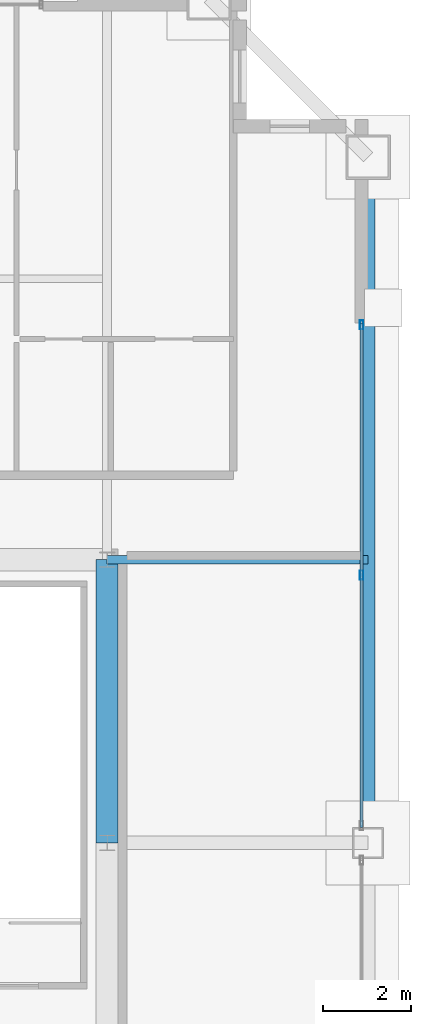
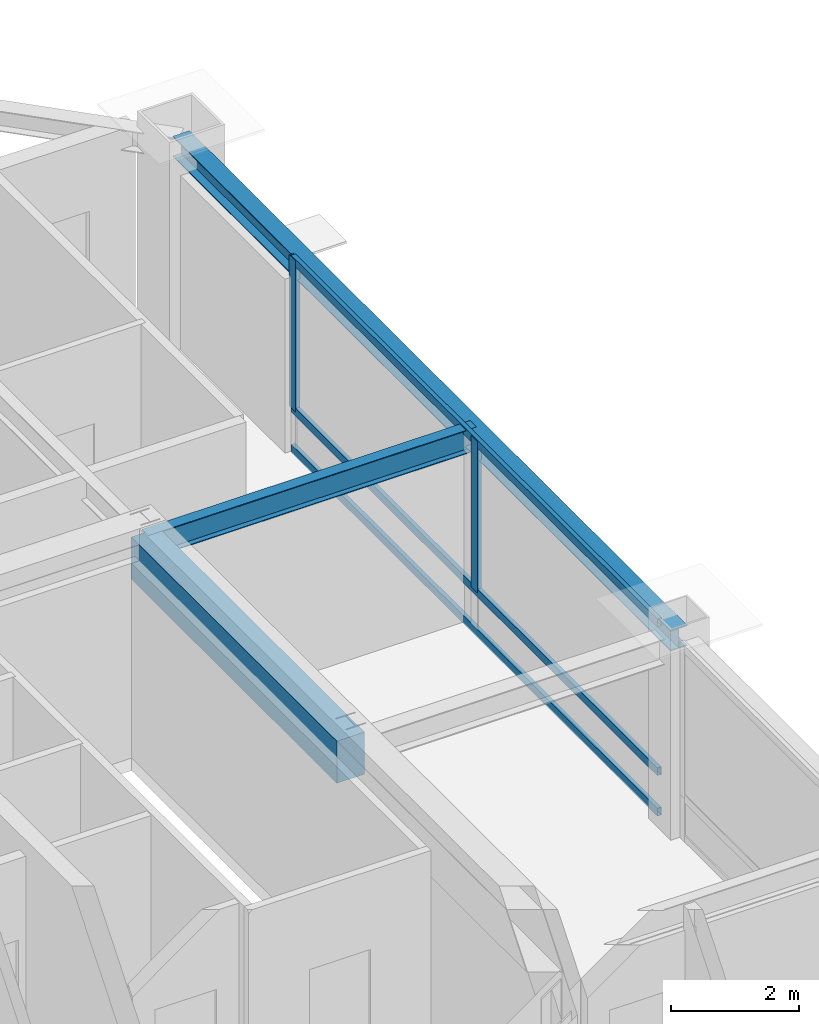
# One storey, part 15 of 34: 5 members, 3 beams, 1 element without a shape of its own.
"""IFC4 building model written with IfcOpenShell, lengths in metres."""

from ifc_helpers import new_model, si_unit, direction, frame, origin, origin_2d, place, context, subcontext, project, spatial, rectangle, hollow_rectangle, i_section, extrude, source, transform, mapped, material, layer, layer_set, material_profile, profile_set, type_object, element, aggregate, save


model = new_model("IFC4")

# Units and contexts
model_context = context("Model", 3, precision=1e-05, world=origin(), true_north=direction((0.0, 1.0)))
body_context = subcontext(model_context, "Body", "Model", "MODEL_VIEW")
ifc_project = project(units=[si_unit("LENGTHUNIT", "METRE"), si_unit("AREAUNIT", "SQUARE_METRE"), si_unit("VOLUMEUNIT", "CUBIC_METRE"), si_unit("PLANEANGLEUNIT", "RADIAN"), si_unit("MASSUNIT", "GRAM", prefix="KILO"), si_unit("THERMODYNAMICTEMPERATUREUNIT", "KELVIN"), si_unit("POWERUNIT", "WATT")], contexts=[model_context])

# Site, building, storey
site_placement = place(None, origin())
site = spatial("IfcSite", under=ifc_project, at=site_placement, CompositionType="ELEMENT")
building_placement = place(site_placement, origin())
building = spatial("IfcBuilding", under=site, at=building_placement, Name="Yuzanri Waterfront Tower", CompositionType="ELEMENT")
storey_placement = place(building_placement, frame((0.0, 0.0, 347.199951171875)))
storey = spatial("IfcBuildingStorey", under=building, at=storey_placement, Name="L93", CompositionType="ELEMENT", Elevation=347.199951171875)

# Beams
ifc_material_1 = material(Name="Concrete C50", Category="concrete")
ifc_material_profile_1 = material_profile(ifc_material_1, rectangle(XDim=0.5, YDim=0.800048828125, at=origin_2d()), Name="RC 500x800")
ifc_profile_set_1 = profile_set([ifc_material_profile_1], Name="Concrete C50")
beam_type_1 = type_object("IfcBeamType", Name="Core Coupling Lintel Concrete C50 500x800", PredefinedType="LINTEL", material=ifc_profile_set_1)
shared_shape_1 = source(origin(), body_context, "Body", "SweptSolid", [
    extrude(rectangle(XDim=0.5, YDim=0.800048828125, at=origin_2d()), origin(), (0.0, 0.0, 1.0), 6.39990234375),
])
beam_1_placement = place(storey_placement, frame((50.199951171875, 25.800048828125, 3.300048828125), z_axis=(0.0, 1.0, 0.0), x_axis=(-1.0, 0.0, 0.0)))
element("IfcBeam", 1, at=beam_1_placement, inside=storey, type_object=beam_type_1, Name="L93 Core Tie Beam CE2", PredefinedType="LINTEL", context=body_context, shape_type="MappedRepresentation", body=[
    mapped(shared_shape_1, transform((0.0, 0.0, 0.0), scale=1.0)),
])
ifc_material_2 = material(Name="Steel Q355B", Category="steel")
ifc_material_profile_2 = material_profile(ifc_material_2, i_section(OverallWidth=0.300048828125, OverallDepth=0.389892578125, WebThickness=0.010009765625, FlangeThickness=0.01611328125, at=origin_2d()), Name="HM 390x300x10x16")
ifc_profile_set_2 = profile_set([ifc_material_profile_2], Name="Steel Q355B")
beam_type_2 = type_object("IfcBeamType", Name="Perimeter Spandrel Q355B HM 390x300", PredefinedType="SPANDREL", material=ifc_profile_set_2)
shared_shape_2 = source(origin(), body_context, "Body", "SweptSolid", [
    extrude(i_section(OverallWidth=0.300048828125, OverallDepth=0.389892578125, WebThickness=0.010009765625, FlangeThickness=0.01611328125, at=origin_2d()), origin(), (0.0, 0.0, 1.0), 15.5),
])
beam_2_placement = place(storey_placement, frame((56.10009765625, 25.800048828125, 3.505126953125), z_axis=(0.0, 1.0, 0.0), x_axis=(-1.0, 0.0, 0.0)))
element("IfcBeam", 2, at=beam_2_placement, inside=storey, type_object=beam_type_2, Name="L93 Perimeter Spandrel E2-E3", PredefinedType="SPANDREL", context=body_context, shape_type="MappedRepresentation", body=[
    mapped(shared_shape_2, transform((0.0, 0.0, 0.0), scale=1.0)),
])
ifc_material_3 = material(Name="Steel Q355B", Category="steel")
ifc_material_profile_3 = material_profile(ifc_material_3, i_section(OverallWidth=0.199951171875, OverallDepth=0.449951171875, WebThickness=0.009033203125, FlangeThickness=0.013916015625, at=origin_2d()), Name="HN 450x200x9x14")
ifc_profile_set_3 = profile_set([ifc_material_profile_3], Name="Steel Q355B")
beam_type_3 = type_object("IfcBeamType", Name="Secondary Floor Beam Q355B HN 450x200", PredefinedType="BEAM", material=ifc_profile_set_3)
shared_shape_3 = source(origin(), body_context, "Body", "SweptSolid", [
    extrude(i_section(OverallWidth=0.199951171875, OverallDepth=0.449951171875, WebThickness=0.009033203125, FlangeThickness=0.013916015625, at=origin_2d()), origin(), (0.0, 0.0, 1.0), 5.900146484375),
])
beam_3_placement = place(storey_placement, frame((50.199951171875, 32.199951171875, 3.47509765625), z_axis=(1.0, 0.0, 0.0), x_axis=(0.0, 1.0, 0.0)))
element("IfcBeam", 3, at=beam_3_placement, inside=storey, type_object=beam_type_3, Name="L93 East-North Core Line Beam", PredefinedType="BEAM", context=body_context, shape_type="MappedRepresentation", body=[
    mapped(shared_shape_3, transform((0.0, 0.0, 0.0), scale=1.0)),
])

# Curtain wall, members
ifc_material_4 = material(Name="Anodized Architectural Bronze", Category="metal")
ifc_layer = layer(ifc_material_4, 0.159912109375)
ifc_layer_set = layer_set([ifc_layer], Name="Anodized Architectural Bronze")
curtain_wall_type = type_object("IfcCurtainWallType", Name="Anodized Bronze High-Rise Penthouse High-Wind Unitized Curtain Wall 6900", PredefinedType="NOTDEFINED", material=ifc_layer_set)
curtain_wall_placement = place(storey_placement, origin())
curtain_wall = element("IfcCurtainWall", 4, at=curtain_wall_placement, inside=storey, type_object=curtain_wall_type, Name="L93 Curtain Wall CW-L93-ER", PredefinedType="NOTDEFINED")
ifc_material_5 = material(Name="Anodized Architectural Bronze", Category="metal")
ifc_material_profile_4 = material_profile(ifc_material_5, hollow_rectangle(XDim=0.074951171875, YDim=0.14990234375, WallThickness=0.00390625, at=origin_2d()), Name="CWT 75x150")
ifc_profile_set_4 = profile_set([ifc_material_profile_4], Name="Anodized Architectural Bronze")
member_type_1 = type_object("IfcMemberType", Name="Anodized Bronze Primary Curtain-Wall Transom 75x150", PredefinedType="USERDEFINED", material=ifc_profile_set_4)
shared_shape_4 = source(origin(), body_context, "Body", "SweptSolid", [
    extrude(hollow_rectangle(XDim=0.074951171875, YDim=0.14990234375, WallThickness=0.00390625, at=origin_2d()), origin(), (0.0, 0.0, 1.0), 11.400146484375),
])
member_1_placement = place(storey_placement, frame((55.949951171875, 26.14990234375, 0.050048828125), z_axis=(0.0, 1.0, 0.0), x_axis=(-1.0, 0.0, 0.0)))
member_1 = element("IfcMember", 5, at=member_1_placement, type_object=member_type_1, Name="CW-L93-ER Transom 1", ObjectType="TRANSOM", PredefinedType="USERDEFINED", context=body_context, shape_type="MappedRepresentation", body=[
    mapped(shared_shape_4, transform((0.0, 0.0, 0.0), scale=1.0)),
])
member_2_placement = place(storey_placement, frame((55.949951171875, 26.14990234375, 0.820068359375), z_axis=(0.0, 1.0, 0.0), x_axis=(-1.0, 0.0, 0.0)))
member_2 = element("IfcMember", 6, at=member_2_placement, type_object=member_type_1, Name="CW-L93-ER Transom 2", ObjectType="TRANSOM", PredefinedType="USERDEFINED", context=body_context, shape_type="MappedRepresentation", body=[
    mapped(shared_shape_4, transform((0.0, 0.0, 0.0), scale=1.0)),
])
member_3_placement = place(storey_placement, frame((55.949951171875, 26.14990234375, 3.650146484375), z_axis=(0.0, 1.0, 0.0), x_axis=(-1.0, 0.0, 0.0)))
member_3 = element("IfcMember", 7, at=member_3_placement, type_object=member_type_1, Name="CW-L93-ER Transom 3", ObjectType="TRANSOM", PredefinedType="USERDEFINED", context=body_context, shape_type="MappedRepresentation", body=[
    mapped(shared_shape_4, transform((0.0, 0.0, 0.0), scale=1.0)),
])
ifc_material_6 = material(Name="Anodized Architectural Bronze", Category="metal")
ifc_material_profile_5 = material_profile(ifc_material_6, hollow_rectangle(XDim=0.074951171875, YDim=0.199951171875, WallThickness=0.00390625, at=origin_2d()), Name="CWM 75x200")
ifc_profile_set_5 = profile_set([ifc_material_profile_5], Name="Anodized Architectural Bronze")
member_type_2 = type_object("IfcMemberType", Name="Anodized Bronze Primary Curtain-Wall Mullion 75x200", PredefinedType="MULLION", material=ifc_profile_set_5)
shared_shape_5 = source(origin(), body_context, "Body", "SweptSolid", [
    extrude(hollow_rectangle(XDim=0.074951171875, YDim=0.199951171875, WallThickness=0.00390625, at=origin_2d()), origin(), (0.0, 0.0, 1.0), 2.8779296875),
])
member_4_placement = place(storey_placement, frame((55.949951171875, 31.85009765625, 0.822021484375), z_axis=(0.0, 0.0, 1.0), x_axis=(1.0, 0.0, 0.0)))
member_4 = element("IfcMember", 8, at=member_4_placement, type_object=member_type_2, Name="CW-L93-ER Upper Mullion 01", PredefinedType="MULLION", context=body_context, shape_type="MappedRepresentation", body=[
    mapped(shared_shape_5, transform((0.0, 0.0, 0.0), scale=1.0)),
])
member_5_placement = place(storey_placement, frame((55.949951171875, 37.510009765625, 0.822021484375), z_axis=(0.0, 0.0, 1.0), x_axis=(1.0, 0.0, 0.0)))
member_5 = element("IfcMember", 9, at=member_5_placement, type_object=member_type_2, Name="CW-L93-ER Upper Mullion 02", PredefinedType="MULLION", context=body_context, shape_type="MappedRepresentation", body=[
    mapped(shared_shape_5, transform((0.0, 0.0, 0.0), scale=1.0)),
])
aggregate(curtain_wall, [member_4, member_5, member_1, member_2, member_3])

save(model, "model.ifc")
